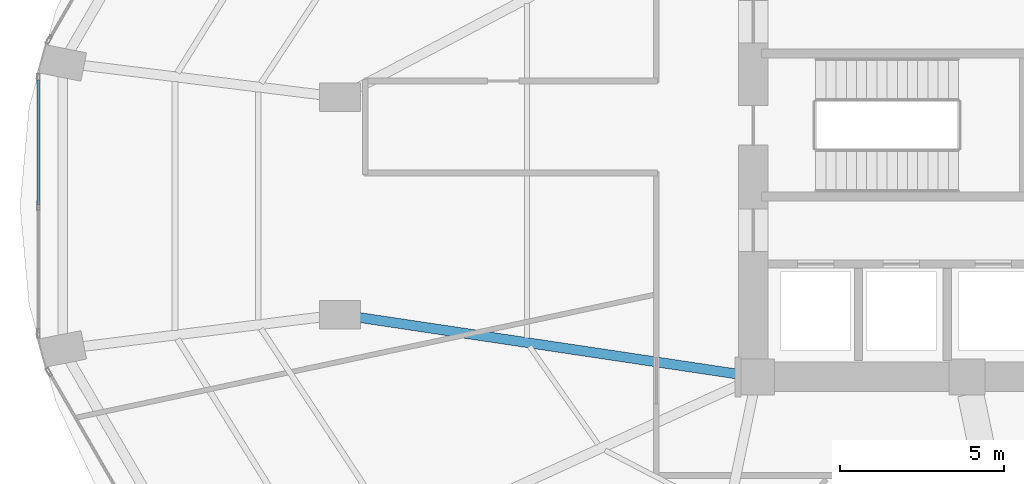
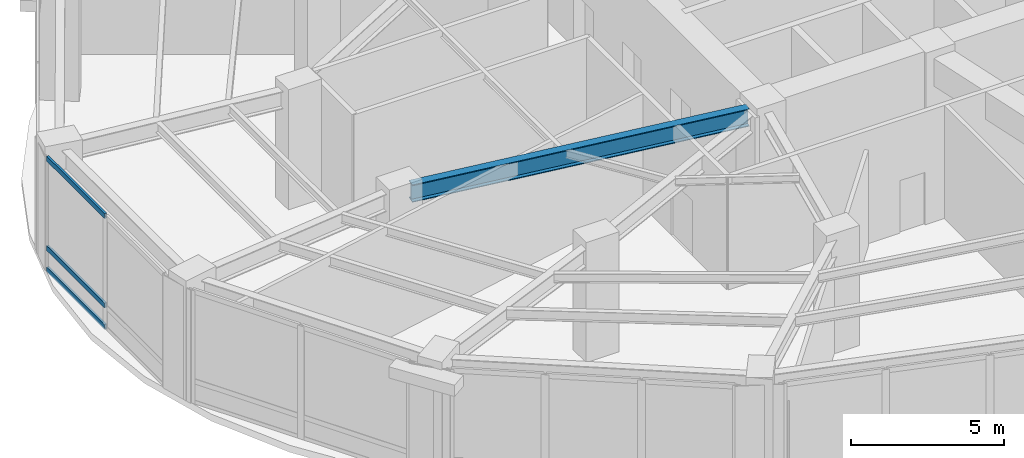
# One storey, part 7 of 24: 3 members, 1 beam, 1 element without a shape of its own.
"""IFC4 building model written with IfcOpenShell, lengths in metres."""

from ifc_helpers import new_model, si_unit, direction, frame, origin, origin_2d, place, context, subcontext, project, spatial, hollow_rectangle, i_section, extrude, material, layer, layer_set, material_profile, profile_set, type_object, element, aggregate, save


model = new_model("IFC4")

# Units and contexts
model_context = context("Model", 3, precision=1e-05, world=origin(), true_north=direction((0.0, 1.0)))
body_context = subcontext(model_context, "Body", "Model", "MODEL_VIEW")
ifc_project = project(units=[si_unit("LENGTHUNIT", "METRE"), si_unit("AREAUNIT", "SQUARE_METRE"), si_unit("VOLUMEUNIT", "CUBIC_METRE"), si_unit("PLANEANGLEUNIT", "RADIAN"), si_unit("MASSUNIT", "GRAM", prefix="KILO")], contexts=[model_context])

# Site, building, storey
site_placement = place(None, origin())
site = spatial("IfcSite", under=ifc_project, at=site_placement, CompositionType="ELEMENT")
building_placement = place(site_placement, origin())
building = spatial("IfcBuilding", under=site, at=building_placement, Name="Lazwardi Medical Tower", CompositionType="ELEMENT")
storey_placement = place(building_placement, frame((0.0, 0.0, 6.0)))
storey = spatial("IfcBuildingStorey", under=building, at=storey_placement, Name="L01", CompositionType="ELEMENT", Elevation=6.0)

# Beam
ifc_material_1 = material(Name="Steel S355", Category="steel")
ifc_material_profile_1 = material_profile(ifc_material_1, i_section(OverallWidth=0.300048828125, OverallDepth=0.699951171875, WebThickness=0.01708984375, FlangeThickness=0.031982421875, at=origin_2d()), Name="HEB 700")
ifc_profile_set_1 = profile_set([ifc_material_profile_1], Name="Steel S355")
beam_type = type_object("IfcBeamType", Name="BM-RG-P1", PredefinedType="BEAM", material=ifc_profile_set_1)
beam_placement = place(storey_placement, frame((14.132568359375, 22.23486328125, 4.169921875), z_axis=(0.988996622553, -0.147938097117, 0.0), x_axis=(0.147938097117, 0.988996622553, 0.0)))
element("IfcBeam", 1, at=beam_placement, inside=storey, type_object=beam_type, Name="Radial girder RG-01 R13B L01", PredefinedType="BEAM", context=body_context, shape_type="SweptSolid", body=[
    extrude(i_section(OverallWidth=0.300048828125, OverallDepth=0.699951171875, WebThickness=0.01708984375, FlangeThickness=0.031982421875, at=origin_2d()), origin(), (0.0, 0.0, 1.0), 11.868896484375),
])

# Curtain wall, members
ifc_material_2 = material(Name="Anodised bronze aluminium and solar control glazing", Category="aluminium")
ifc_layer = layer(ifc_material_2, 0.219970703125)
ifc_layer_set = layer_set([ifc_layer], Name="Anodised bronze aluminium and solar control glazing")
curtain_wall_type = type_object("IfcCurtainWallType", Name="CW-SYS-01", PredefinedType="NOTDEFINED", material=ifc_layer_set)
curtain_wall_placement = place(storey_placement, origin())
curtain_wall = element("IfcCurtainWall", 2, at=curtain_wall_placement, inside=storey, type_object=curtain_wall_type, Name="L01 Unitised bronze curtain wall CW-01", PredefinedType="NOTDEFINED")
ifc_material_3 = material(Name="Anodised bronze aluminium", Category="aluminium")
ifc_material_profile_2 = material_profile(ifc_material_3, hollow_rectangle(XDim=0.0849609375, YDim=0.199951171875, WallThickness=0.00439453125, at=origin_2d()), Name="ALU-TRANSOM 200x85x4.5")
ifc_profile_set_2 = profile_set([ifc_material_profile_2], Name="Anodised bronze aluminium")
member_type = type_object("IfcMemberType", Name="CW-TRN-02", PredefinedType="USERDEFINED", material=ifc_profile_set_2)
member_1_placement = place(storey_placement, frame((4.560302734375, 29.43408203125, 0.04248046875), z_axis=(0.0, -1.0, 0.0), x_axis=(1.0, 0.0, 0.0)))
member_1 = element("IfcMember", 3, at=member_1_placement, type_object=member_type, Name="CW-01 transom 1.1", ObjectType="TRANSOM", PredefinedType="USERDEFINED", context=body_context, shape_type="SweptSolid", body=[
    extrude(hollow_rectangle(XDim=0.0849609375, YDim=0.199951171875, WallThickness=0.00439453125, at=origin_2d()), origin(), (0.0, 0.0, 1.0), 3.79150390625),
])
member_2_placement = place(storey_placement, frame((4.560302734375, 29.43408203125, 0.89990234375), z_axis=(0.0, -1.0, 0.0), x_axis=(1.0, 0.0, 0.0)))
member_2 = element("IfcMember", 4, at=member_2_placement, type_object=member_type, Name="CW-01 transom 1.2", ObjectType="TRANSOM", PredefinedType="USERDEFINED", context=body_context, shape_type="SweptSolid", body=[
    extrude(hollow_rectangle(XDim=0.0849609375, YDim=0.199951171875, WallThickness=0.00439453125, at=origin_2d()), origin(), (0.0, 0.0, 1.0), 3.79150390625),
])
member_3_placement = place(storey_placement, frame((4.560302734375, 29.43408203125, 4.4775390625), z_axis=(0.0, -1.0, 0.0), x_axis=(1.0, 0.0, 0.0)))
member_3 = element("IfcMember", 5, at=member_3_placement, type_object=member_type, Name="CW-01 transom 1.3", ObjectType="TRANSOM", PredefinedType="USERDEFINED", context=body_context, shape_type="SweptSolid", body=[
    extrude(hollow_rectangle(XDim=0.0849609375, YDim=0.199951171875, WallThickness=0.00439453125, at=origin_2d()), origin(), (0.0, 0.0, 1.0), 3.79150390625),
])
aggregate(curtain_wall, [member_1, member_2, member_3])

save(model, "model.ifc")
